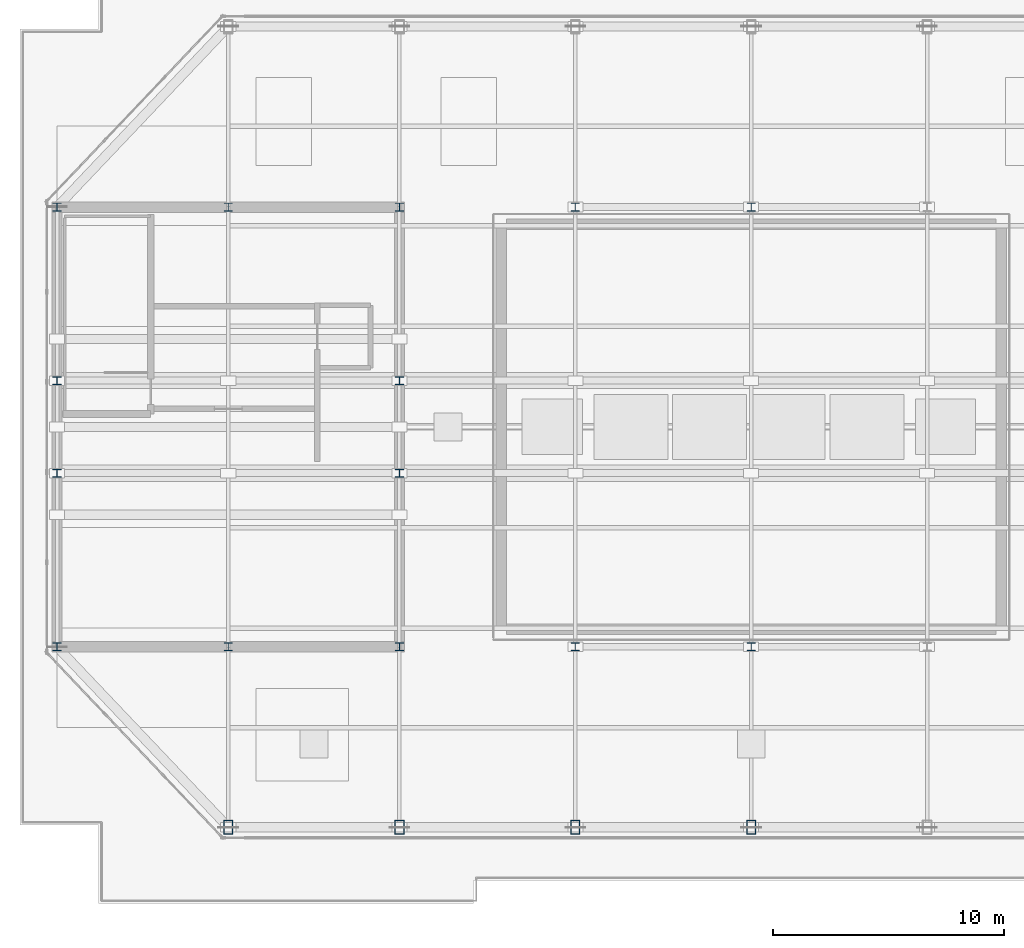
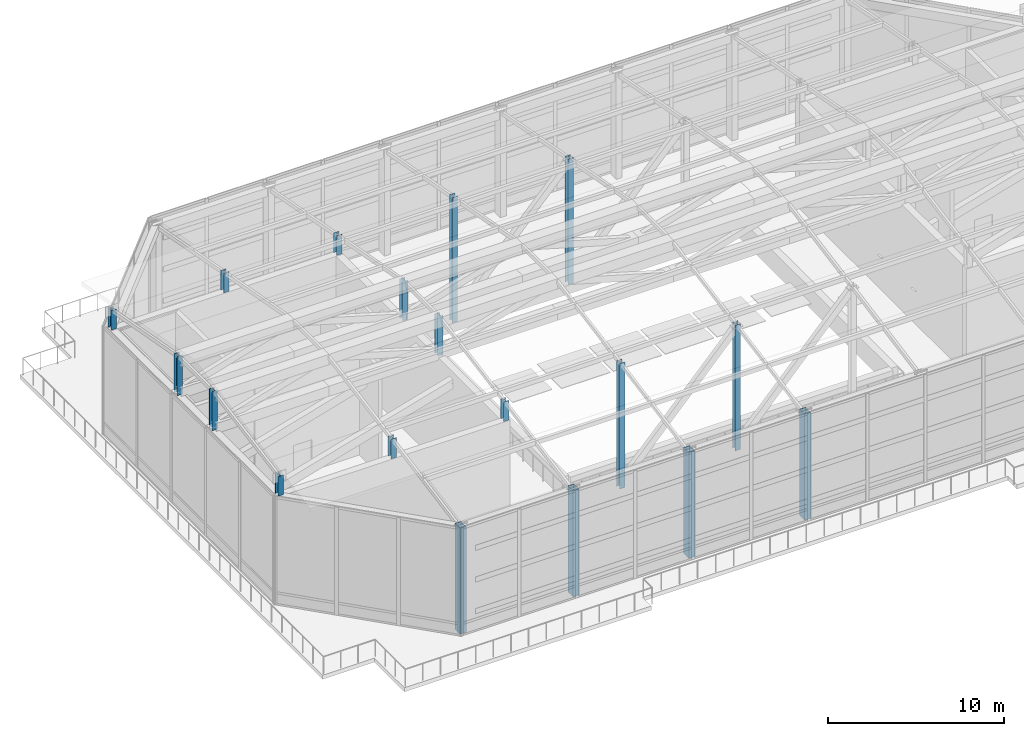
# One storey, part 1 of 25: 18 columns.
"""IFC4 building model written with IfcOpenShell, lengths in metres."""

from ifc_helpers import new_model, si_unit, direction, frame, origin, origin_2d, place, context, subcontext, project, spatial, hollow_rectangle, i_section, extrude, source, transform, mapped, material, material_profile, profile_set, type_object, type_shapes, element, save


model = new_model("IFC4")

# Units and contexts
model_context = context("Model", 3, precision=1e-05, world=origin(), true_north=direction((0.0, 1.0)))
body_context = subcontext(model_context, "Body", "Model", "MODEL_VIEW")
ifc_project = project(units=[si_unit("LENGTHUNIT", "METRE"), si_unit("AREAUNIT", "SQUARE_METRE"), si_unit("VOLUMEUNIT", "CUBIC_METRE"), si_unit("PLANEANGLEUNIT", "RADIAN"), si_unit("MASSUNIT", "GRAM", prefix="KILO")], contexts=[model_context])

# Site, building, storey
site_placement = place(None, origin())
site = spatial("IfcSite", under=ifc_project, at=site_placement, CompositionType="ELEMENT")
building_placement = place(site_placement, origin())
building = spatial("IfcBuilding", under=site, at=building_placement, Name="Haelvirn Gate Laboratories", CompositionType="ELEMENT")
storey_placement = place(building_placement, frame((0.0, 0.0, 337.800048828125)))
storey = spatial("IfcBuildingStorey", under=building, at=storey_placement, Name="RF", CompositionType="ELEMENT", Elevation=337.800048828125)

# Columns
ifc_material_1 = material(Name="Steel SM420", Category="steel")
ifc_material_profile_1 = material_profile(ifc_material_1, hollow_rectangle(XDim=0.39990234375, YDim=0.60009765625, WallThickness=0.02490234375, at=origin_2d()), Name="BOX-600x400x25")
ifc_profile_set_1 = profile_set([ifc_material_profile_1], Name="Steel SM420")
column_type_1 = type_object("IfcColumnType", Name="COL-CROWN", PredefinedType="USERDEFINED", material=ifc_profile_set_1)
shared_shape_1 = source(origin(), body_context, "Body", "SweptSolid", [
    extrude(hollow_rectangle(XDim=0.39990234375, YDim=0.60009765625, WallThickness=0.02490234375, at=origin_2d()), origin(), (0.0, 0.0, 1.0), 7.349853515625),
])
type_shapes(column_type_1, [shared_shape_1])
for number, where, z_axis, x_axis, name in (
    (1, (14.800048828125, 7.0, 0.0), (0.0, 0.0, 1.0), (1.0, 0.0, 0.0), "RF Crown Ring Column S1"),
    (2, (22.199951171875, 7.0, 0.0), (0.0, 0.0, 1.0), (1.0, 0.0, 0.0), "RF Crown Ring Column S2"),
    (3, (29.800048828125, 7.0, 0.0), (0.0, 0.0, 1.0), (1.0, 0.0, 0.0), "RF Crown Ring Column S3"),
    (4, (37.39990234375, 7.0, 0.0), (0.0, 0.0, 1.0), (1.0, 0.0, 0.0), "RF Crown Ring Column S4"),
):
    element("IfcColumn", number, at=place(storey_placement, frame(where, z_axis=z_axis, x_axis=x_axis)), inside=storey, type_object=column_type_1, Name=name, ObjectType="CROWN FRAME", PredefinedType="USERDEFINED", context=body_context, shape_type="MappedRepresentation", body=[
        mapped(shared_shape_1, transform((0.0, 0.0, 0.0), scale=1.0)),
    ])
ifc_material_2 = material(Name="Steel SM355", Category="steel")
ifc_material_profile_2 = material_profile(ifc_material_2, i_section(OverallWidth=0.35009765625, OverallDepth=0.35009765625, WebThickness=0.011962890625, FlangeThickness=0.01904296875, at=origin_2d()), Name="H-350x350x12x19")
ifc_profile_set_2 = profile_set([ifc_material_profile_2], Name="Steel SM355")
column_type_2 = type_object("IfcColumnType", Name="COL-H-350", PredefinedType="COLUMN", material=ifc_profile_set_2)
shared_shape_2 = source(origin(), body_context, "Body", "SweptSolid", [
    extrude(i_section(OverallWidth=0.35009765625, OverallDepth=0.35009765625, WebThickness=0.011962890625, FlangeThickness=0.01904296875, at=origin_2d()), origin(), (0.0, 0.0, 1.0), 1.361328125),
])
for number, where, z_axis, x_axis, name in (
    (5, (7.39990234375, 14.800048828125, 7.349853515625), (0.0, 0.0, 1.0), (1.0, 0.0, 0.0), "RF Vault Interior Support Column X7.4/Y14.8"),
    (6, (7.39990234375, 33.800048828125, 7.349853515625), (0.0, 0.0, 1.0), (1.0, 0.0, 0.0), "RF Vault Interior Support Column X7.4/Y33.8"),
    (7, (14.800048828125, 14.800048828125, 7.349853515625), (0.0, 0.0, 1.0), (1.0, 0.0, 0.0), "RF Vault Interior Support Column X14.8/Y14.8"),
    (8, (14.800048828125, 33.800048828125, 7.349853515625), (0.0, 0.0, 1.0), (1.0, 0.0, 0.0), "RF Vault Interior Support Column X14.8/Y33.8"),
    (9, (22.199951171875, 14.800048828125, 7.349853515625), (0.0, 0.0, 1.0), (1.0, 0.0, 0.0), "RF Vault Interior Support Column X22.2/Y14.8"),
    (10, (22.199951171875, 33.800048828125, 7.349853515625), (0.0, 0.0, 1.0), (1.0, 0.0, 0.0), "RF Vault Interior Support Column X22.2/Y33.8"),
):
    element("IfcColumn", number, at=place(storey_placement, frame(where, z_axis=z_axis, x_axis=x_axis)), inside=storey, type_object=column_type_2, Name=name, PredefinedType="COLUMN", context=body_context, shape_type="MappedRepresentation", body=[
        mapped(shared_shape_2, transform((0.0, 0.0, 0.0), scale=1.0)),
    ])
shared_shape_3 = source(origin(), body_context, "Body", "SweptSolid", [
    extrude(i_section(OverallWidth=0.35009765625, OverallDepth=0.35009765625, WebThickness=0.011962890625, FlangeThickness=0.01904296875, at=origin_2d()), origin(), (0.0, 0.0, 1.0), 8.711181640625),
])
for number, where, z_axis, x_axis, name in (
    (11, (29.800048828125, 14.800048828125, 0.0), (0.0, 0.0, 1.0), (1.0, 0.0, 0.0), "RF Vault Interior Support Column X29.8/Y14.8"),
    (12, (29.800048828125, 33.800048828125, 0.0), (0.0, 0.0, 1.0), (1.0, 0.0, 0.0), "RF Vault Interior Support Column X29.8/Y33.8"),
    (13, (37.39990234375, 14.800048828125, 0.0), (0.0, 0.0, 1.0), (1.0, 0.0, 0.0), "RF Vault Interior Support Column X37.4/Y14.8"),
    (14, (37.39990234375, 33.800048828125, 0.0), (0.0, 0.0, 1.0), (1.0, 0.0, 0.0), "RF Vault Interior Support Column X37.4/Y33.8"),
):
    element("IfcColumn", number, at=place(storey_placement, frame(where, z_axis=z_axis, x_axis=x_axis)), inside=storey, type_object=column_type_2, Name=name, PredefinedType="COLUMN", context=body_context, shape_type="MappedRepresentation", body=[
        mapped(shared_shape_3, transform((0.0, 0.0, 0.0), scale=1.0)),
    ])
shared_shape_4 = source(origin(), body_context, "Body", "SweptSolid", [
    extrude(i_section(OverallWidth=0.35009765625, OverallDepth=0.35009765625, WebThickness=0.011962890625, FlangeThickness=0.01904296875, at=origin_2d()), origin(), (0.0, 0.0, 1.0), 2.7255859375),
])
type_shapes(column_type_2, [shared_shape_2, shared_shape_3, shared_shape_4])
for number, where, z_axis, x_axis, name in (
    (15, (7.39990234375, 22.300048828125, 7.349853515625), (0.0, 0.0, 1.0), (1.0, 0.0, 0.0), "RF Vault Ridge Support Column S X7.4"),
    (16, (22.199951171875, 22.300048828125, 7.349853515625), (0.0, 0.0, 1.0), (1.0, 0.0, 0.0), "RF Vault Ridge Support Column S X22.2"),
    (17, (7.39990234375, 26.300048828125, 7.349853515625), (0.0, 0.0, 1.0), (1.0, 0.0, 0.0), "RF Vault Ridge Support Column N X7.4"),
    (18, (22.199951171875, 26.300048828125, 7.349853515625), (0.0, 0.0, 1.0), (1.0, 0.0, 0.0), "RF Vault Ridge Support Column N X22.2"),
):
    element("IfcColumn", number, at=place(storey_placement, frame(where, z_axis=z_axis, x_axis=x_axis)), inside=storey, type_object=column_type_2, Name=name, PredefinedType="COLUMN", context=body_context, shape_type="MappedRepresentation", body=[
        mapped(shared_shape_4, transform((0.0, 0.0, 0.0), scale=1.0)),
    ])

save(model, "model.ifc")
